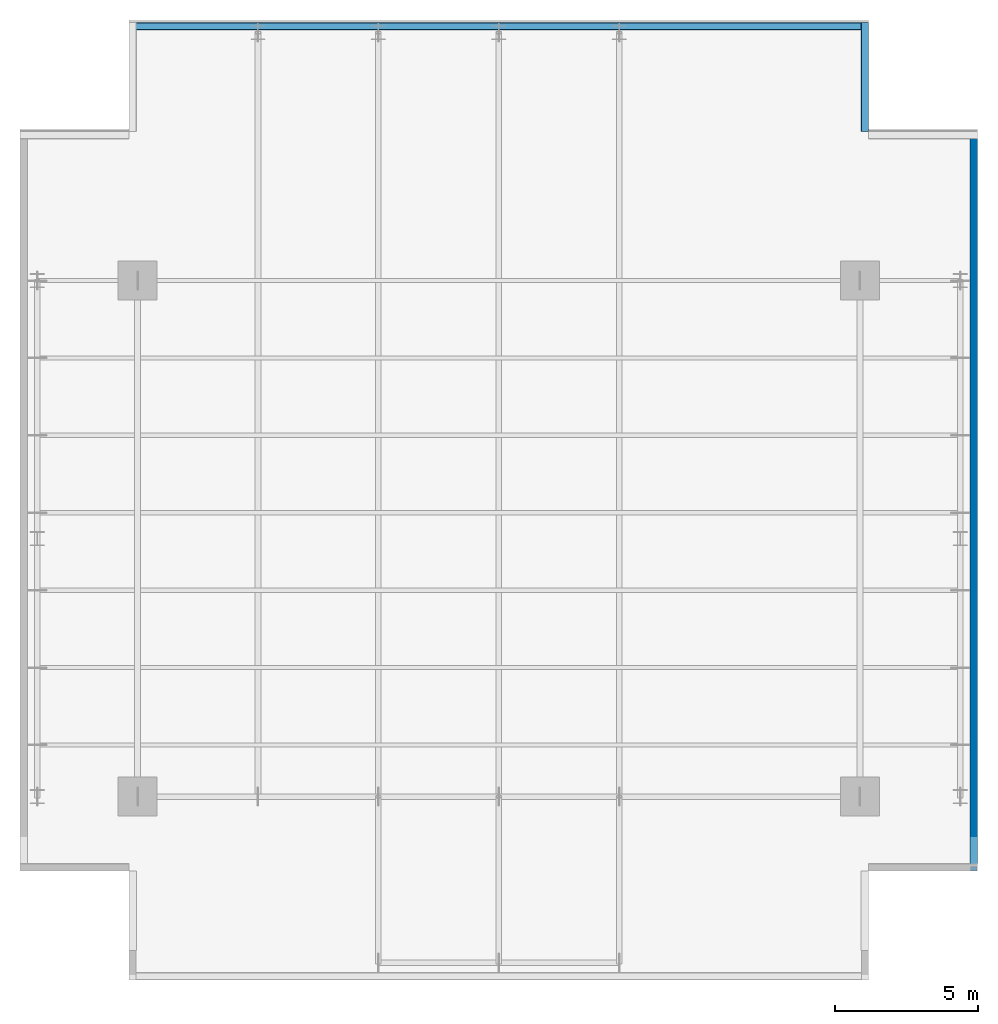
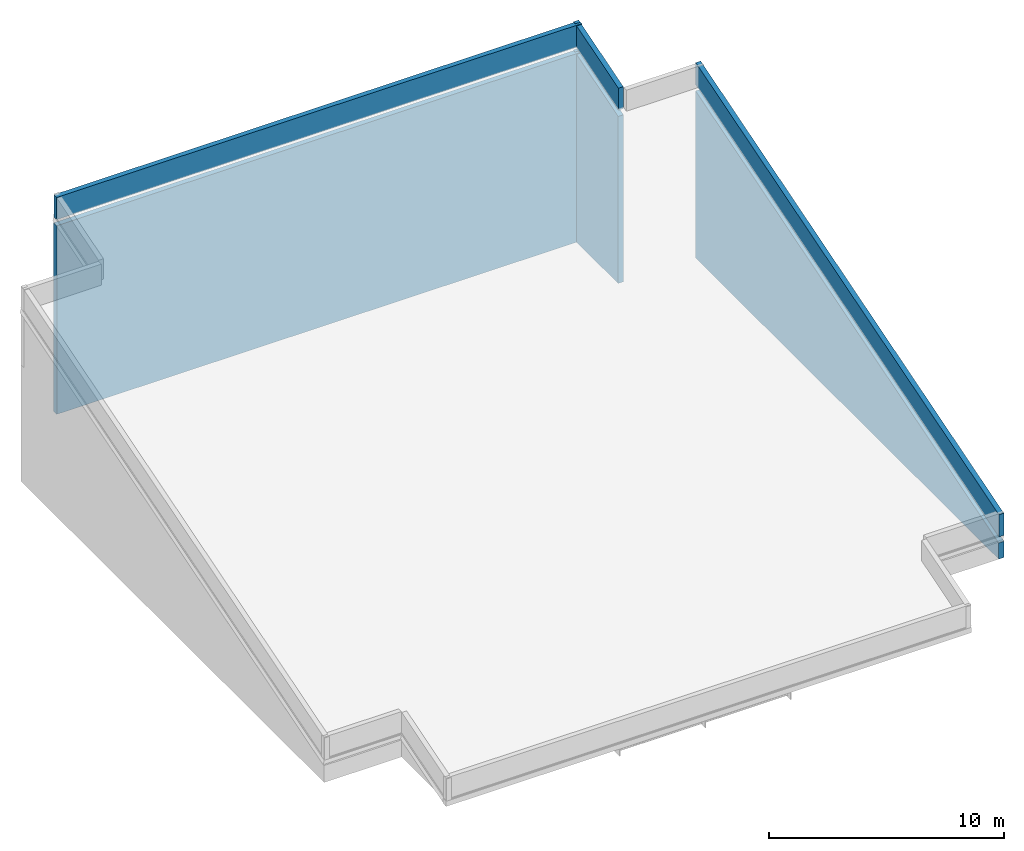
# One storey, part 2 of 3: 6 walls.
"""IFC4 building model written with IfcOpenShell, lengths in metres."""

from ifc_helpers import new_model, si_unit, direction, frame, origin, place, context, subcontext, project, spatial, polyline, outline, extrude, material, layer, layer_set, type_object, element, save


model = new_model("IFC4")

# Units and contexts
model_context = context("Model", 3, precision=1e-05, world=origin(), true_north=direction((0.0, 1.0)))
body_context = subcontext(model_context, "Body", "Model", "MODEL_VIEW")
ifc_project = project(units=[si_unit("LENGTHUNIT", "METRE"), si_unit("AREAUNIT", "SQUARE_METRE"), si_unit("VOLUMEUNIT", "CUBIC_METRE"), si_unit("PLANEANGLEUNIT", "RADIAN"), si_unit("MASSUNIT", "GRAM", prefix="KILO")], contexts=[model_context])

# Site, building, storey
site_placement = place(None, origin())
site = spatial("IfcSite", under=ifc_project, at=site_placement, CompositionType="ELEMENT")
building_placement = place(site_placement, origin())
building = spatial("IfcBuilding", under=site, at=building_placement, Name="Maruvema Waterfront Hotel and Observation Tower", CompositionType="ELEMENT")
storey_placement = place(building_placement, frame((0.0, 0.0, 376.25)))
storey = spatial("IfcBuildingStorey", under=building, at=storey_placement, Name="Roof", CompositionType="ELEMENT", Elevation=376.25)

# Walls
ifc_material_1 = material(Name="Precast concrete C45/55 with honed Pernambuco granite facing", Category="masonry")
ifc_layer_1 = layer(ifc_material_1, 0.260009765625, Name="Exterior Granite Clad Spandrel and Pier Wall 260 mm")
ifc_layer_set_1 = layer_set([ifc_layer_1], Name="Precast concrete C45/55 with honed Pernambuco granite facing")
wall_type_1 = type_object("IfcWallType", Name="Exterior Granite Clad Spandrel and Pier Wall 260 mm", PredefinedType="SOLIDWALL", material=ifc_layer_set_1)
wall_1_placement = place(storey_placement, frame((54.3701171875, 24.39990234375, 0.0), z_axis=(0.0, 0.0, 1.0), x_axis=(0.0, 1.0, 0.0)))
element("IfcWall", 1, at=wall_1_placement, inside=storey, type_object=wall_type_1, Name="Sloped Crown Granite Enclosure Wall 04", PredefinedType="SOLIDWALL", context=body_context, shape_type="SweptSolid", body=[
    extrude(outline(polyline([(0.0, 0.0), (25.800048828125, 0.0), (25.800048828125, 8.681640625), (0.0, 0.84130859375), (0.0, 0.0)])), frame((0.0, 0.1298828125, 0.0), z_axis=(0.0, -1.0, 0.0), x_axis=(1.0, 0.0, 0.0)), (0.0, 0.0, 1.0), 0.260009765625),
])
wall_2_placement = place(storey_placement, frame((50.570068359375, 50.199951171875, 0.0), z_axis=(0.0, 0.0, 1.0), x_axis=(0.0, 1.0, 0.0)))
element("IfcWall", 2, at=wall_2_placement, inside=storey, type_object=wall_type_1, Name="Sloped Crown Granite Enclosure Wall 06", PredefinedType="SOLIDWALL", context=body_context, shape_type="SweptSolid", body=[
    extrude(outline(polyline([(0.0, 0.0), (3.800048828125, 0.0), (3.800048828125, 9.83642578125), (0.0, 8.681640625), (0.0, 0.0)])), frame((0.0, 0.1298828125, 0.0), z_axis=(0.0, -1.0, 0.0), x_axis=(1.0, 0.0, 0.0)), (0.0, 0.0, 1.0), 0.260009765625),
])
wall_3_placement = place(storey_placement, frame((50.699951171875, 53.8701171875, 0.0), z_axis=(0.0, 0.0, 1.0), x_axis=(-1.0, 0.0, 0.0)))
element("IfcWall", 3, at=wall_3_placement, inside=storey, type_object=wall_type_1, Name="Sloped Crown Granite Enclosure Wall 07", PredefinedType="SOLIDWALL", context=body_context, shape_type="SweptSolid", body=[
    extrude(outline(polyline([(0.0, 0.0), (25.800048828125, 0.0), (25.800048828125, 9.797119140625), (0.0, 9.797119140625), (0.0, 0.0)])), frame((0.0, 0.1298828125, 0.0), z_axis=(0.0, -1.0, 0.0), x_axis=(1.0, 0.0, 0.0)), (0.0, 0.0, 1.0), 0.260009765625),
])
ifc_material_2 = material(Name="Precast concrete C45/55 with honed Pernambuco granite coping", Category="masonry")
ifc_layer_2 = layer(ifc_material_2, 0.239990234375, Name="Granite Capped Roof and Terrace Parapet Wall 240 mm")
ifc_layer_set_2 = layer_set([ifc_layer_2], Name="Precast concrete C45/55 with honed Pernambuco granite coping")
wall_type_2 = type_object("IfcWallType", Name="Granite Capped Roof and Terrace Parapet Wall 240 mm", PredefinedType="PARAPET", material=ifc_layer_set_2)
wall_4_placement = place(storey_placement, frame((54.3701171875, 24.39990234375, 1.15478515625), z_axis=(0.0, 0.0, 1.0), x_axis=(0.0, 1.0, 0.0)))
element("IfcWall", 4, at=wall_4_placement, inside=storey, type_object=wall_type_2, Name="Sloped Crown Roof Parapet Wall 04", PredefinedType="PARAPET", context=body_context, shape_type="SweptSolid", body=[
    extrude(outline(polyline([(0.0, 0.0), (25.800048828125, 7.84033203125), (25.800048828125, 8.990478515625), (0.0, 1.14990234375), (0.0, 0.0)])), frame((0.0, 0.1201171875, 0.0), z_axis=(0.0, -1.0, 0.0), x_axis=(1.0, 0.0, 0.0)), (0.0, 0.0, 1.0), 0.239990234375),
])
wall_5_placement = place(storey_placement, frame((50.570068359375, 50.199951171875, 8.9951171875), z_axis=(0.0, 0.0, 1.0), x_axis=(0.0, 1.0, 0.0)))
element("IfcWall", 5, at=wall_5_placement, inside=storey, type_object=wall_type_2, Name="Sloped Crown Roof Parapet Wall 06", PredefinedType="PARAPET", context=body_context, shape_type="SweptSolid", body=[
    extrude(outline(polyline([(0.0, 0.0), (3.800048828125, 1.15478515625), (3.800048828125, 2.304931640625), (0.0, 1.150146484375), (0.0, 0.0)])), frame((0.0, 0.1201171875, 0.0), z_axis=(0.0, -1.0, 0.0), x_axis=(1.0, 0.0, 0.0)), (0.0, 0.0, 1.0), 0.239990234375),
])
wall_6_placement = place(storey_placement, frame((50.699951171875, 53.8701171875, 10.110595703125), z_axis=(0.0, 0.0, 1.0), x_axis=(-1.0, 0.0, 0.0)))
element("IfcWall", 6, at=wall_6_placement, inside=storey, type_object=wall_type_2, Name="Sloped Crown Roof Parapet Wall 07", PredefinedType="PARAPET", context=body_context, shape_type="SweptSolid", body=[
    extrude(outline(polyline([(0.0, 0.0), (25.800048828125, 0.0), (25.800048828125, 1.14990234375), (0.0, 1.14990234375), (0.0, 0.0)])), frame((0.0, 0.1201171875, 0.0), z_axis=(0.0, -1.0, 0.0), x_axis=(1.0, 0.0, 0.0)), (0.0, 0.0, 1.0), 0.239990234375),
])

save(model, "model.ifc")
